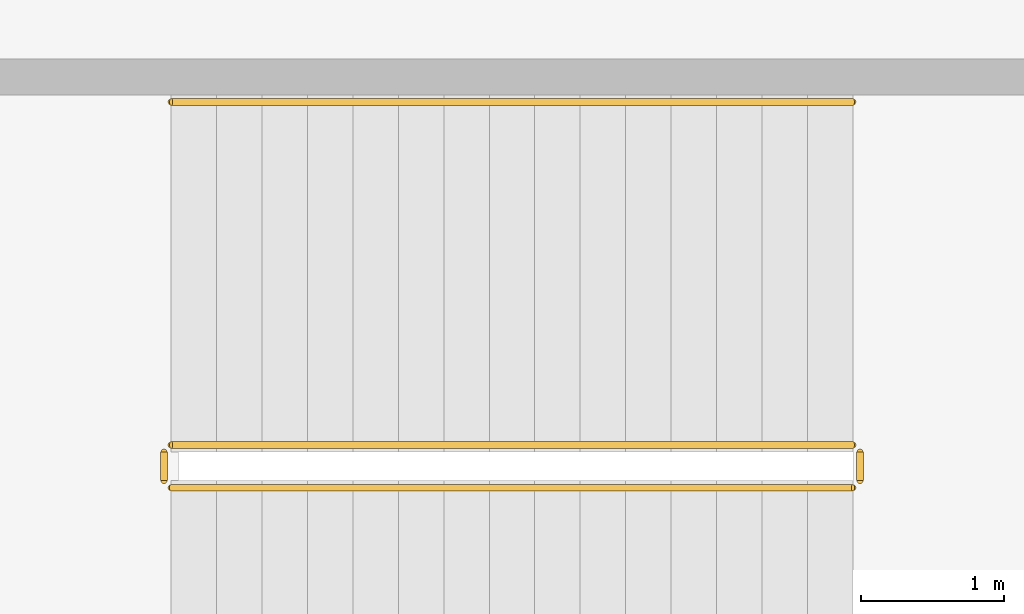
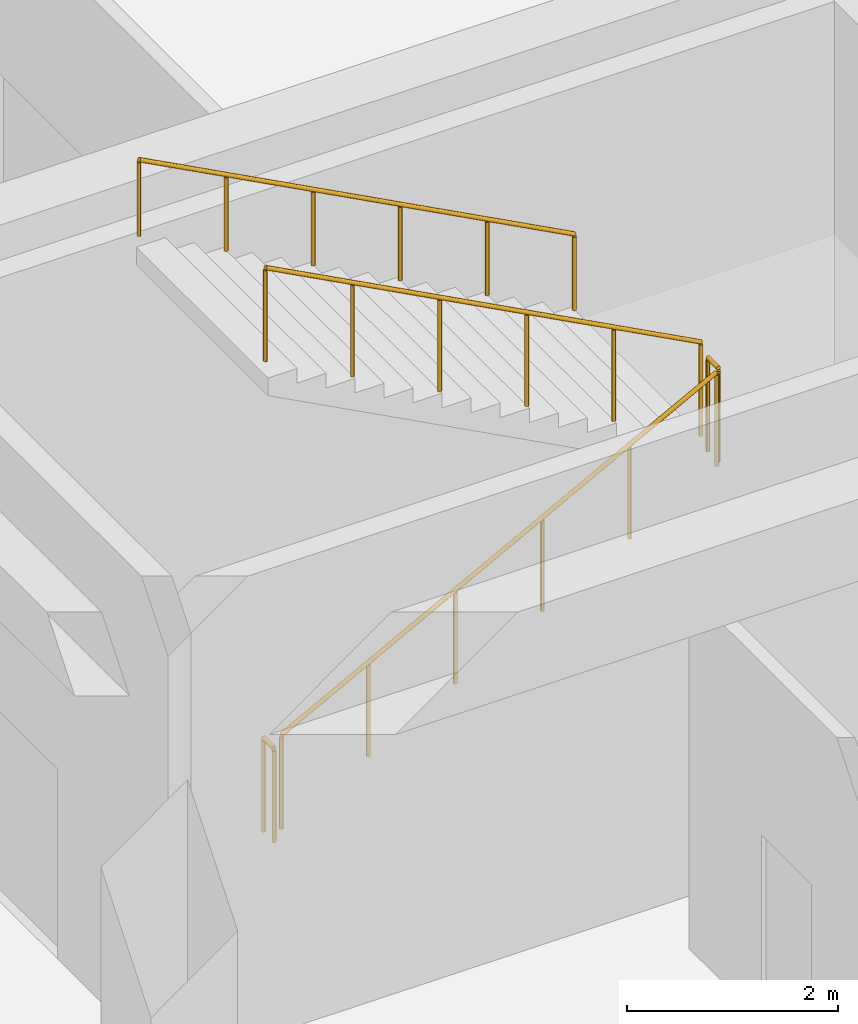
# One storey, part 116 of 120: 5 railings.
"""IFC4 building model written with IfcOpenShell, lengths in metres."""

from ifc_helpers import new_model, si_unit, direction, frame, origin, origin_2d, place, context, subcontext, project, spatial, circle, extrude, material, type_object, element, save


model = new_model("IFC4")

# Units and contexts
model_context = context("Model", 3, precision=1e-05, world=origin(), true_north=direction((0.0, 1.0)))
body_context = subcontext(model_context, "Body", "Model", "MODEL_VIEW")
ifc_project = project(units=[si_unit("LENGTHUNIT", "METRE"), si_unit("AREAUNIT", "SQUARE_METRE"), si_unit("VOLUMEUNIT", "CUBIC_METRE"), si_unit("PLANEANGLEUNIT", "RADIAN"), si_unit("MASSUNIT", "GRAM", prefix="KILO")], contexts=[model_context])

# Site, building, storey
site_placement = place(None, origin())
site = spatial("IfcSite", under=ifc_project, at=site_placement, CompositionType="ELEMENT")
building_placement = place(site_placement, origin())
building = spatial("IfcBuilding", under=site, at=building_placement, Name="Cuetzalor Civic Arena", CompositionType="ELEMENT")
storey_placement = place(building_placement, frame((0.0, 0.0, 6.0)))
storey = spatial("IfcBuildingStorey", under=building, at=storey_placement, Name="L01", CompositionType="ELEMENT", Elevation=6.0)

# Railings
ifc_material_1 = material(Name="Reseda-green architectural Steel S355 balustrade", Category="steel")
railing_type_1 = type_object("IfcRailingType", Name="InteriorVoidBalustrade_1100", PredefinedType="BALUSTRADE", material=ifc_material_1)
railing_1_placement = place(storey_placement, frame((67.449951171875, 20.85009765625, 0.168701171875)))
element("IfcRailing", 1, at=railing_1_placement, inside=storey, type_object=railing_type_1, Name="L01 ST-22 stair guard 1", PredefinedType="BALUSTRADE", context=body_context, shape_type="SweptSolid", body=[
    extrude(circle(Radius=0.02392578125, at=origin_2d()), frame((0.0, 0.0, 1.0810546875), z_axis=(0.883332211103, 0.0, 0.468747485143), x_axis=(0.0, 1.0, 0.0)), (0.0, 0.0, 1.0), 5.400146484375),
    extrude(circle(Radius=0.02099609375, at=origin_2d()), origin(), (0.0, 0.0, 1.0), 1.056884765625),
    extrude(circle(Radius=0.02099609375, at=origin_2d()), frame((0.9541015625, 0.0, 0.50634765625)), (0.0, 0.0, 1.0), 1.056884765625),
    extrude(circle(Radius=0.02099609375, at=origin_2d()), frame((1.907958984375, 0.0, 1.012451171875)), (0.0, 0.0, 1.0), 1.056884765625),
    extrude(circle(Radius=0.02099609375, at=origin_2d()), frame((2.862060546875, 0.0, 1.518798828125)), (0.0, 0.0, 1.0), 1.056884765625),
    extrude(circle(Radius=0.02099609375, at=origin_2d()), frame((3.81591796875, 0.0, 2.02490234375)), (0.0, 0.0, 1.0), 1.056884765625),
    extrude(circle(Radius=0.02099609375, at=origin_2d()), frame((4.77001953125, 0.0, 2.53125)), (0.0, 0.0, 1.0), 1.056884765625),
])
railing_2_placement = place(storey_placement, frame((72.27001953125, 20.89990234375, 2.699951171875)))
element("IfcRailing", 2, at=railing_2_placement, inside=storey, type_object=railing_type_1, Name="L01 ST-22 stair guard 2", PredefinedType="BALUSTRADE", context=body_context, shape_type="SweptSolid", body=[
    extrude(circle(Radius=0.02392578125, at=origin_2d()), frame((0.0, 0.0, 1.0810546875), z_axis=(0.0, 1.0, 0.0), x_axis=(-1.0, 0.0, 0.0)), (0.0, 0.0, 1.0), 0.2001953125),
    extrude(circle(Radius=0.02099609375, at=origin_2d()), origin(), (0.0, 0.0, 1.0), 1.056884765625),
    extrude(circle(Radius=0.02099609375, at=origin_2d()), frame((0.0, 0.2001953125, 0.0)), (0.0, 0.0, 1.0), 1.056884765625),
])
railing_3_placement = place(storey_placement, frame((72.219970703125, 21.14990234375, 2.86865234375)))
element("IfcRailing", 3, at=railing_3_placement, inside=storey, type_object=railing_type_1, Name="L01 ST-22 stair guard 3", PredefinedType="BALUSTRADE", context=body_context, shape_type="SweptSolid", body=[
    extrude(circle(Radius=0.02392578125, at=origin_2d()), frame((0.0, 0.0, 1.0810546875), z_axis=(-0.883332211103, 0.0, 0.468747485143), x_axis=(0.0, -1.0, 0.0)), (0.0, 0.0, 1.0), 5.400146484375),
    extrude(circle(Radius=0.02099609375, at=origin_2d()), origin(), (0.0, 0.0, 1.0), 1.056884765625),
    extrude(circle(Radius=0.02099609375, at=origin_2d()), frame((-0.9541015625, 0.0, 0.50634765625)), (0.0, 0.0, 1.0), 1.056884765625),
    extrude(circle(Radius=0.02099609375, at=origin_2d()), frame((-1.907958984375, 0.0, 1.012451171875)), (0.0, 0.0, 1.0), 1.056884765625),
    extrude(circle(Radius=0.02099609375, at=origin_2d()), frame((-2.862060546875, 0.0, 1.518798828125)), (0.0, 0.0, 1.0), 1.056884765625),
    extrude(circle(Radius=0.02099609375, at=origin_2d()), frame((-3.81591796875, 0.0, 2.02490234375)), (0.0, 0.0, 1.0), 1.056884765625),
    extrude(circle(Radius=0.02099609375, at=origin_2d()), frame((-4.77001953125, 0.0, 2.53125)), (0.0, 0.0, 1.0), 1.056884765625),
])
railing_4_placement = place(storey_placement, frame((67.39990234375, 20.89990234375, 0.0)))
element("IfcRailing", 4, at=railing_4_placement, inside=storey, type_object=railing_type_1, Name="L01 ST-22 stair guard 4", PredefinedType="BALUSTRADE", context=body_context, shape_type="SweptSolid", body=[
    extrude(circle(Radius=0.02392578125, at=origin_2d()), frame((0.0, 0.0, 1.0810546875), z_axis=(0.0, 1.0, 0.0), x_axis=(-1.0, 0.0, 0.0)), (0.0, 0.0, 1.0), 0.2001953125),
    extrude(circle(Radius=0.02099609375, at=origin_2d()), origin(), (0.0, 0.0, 1.0), 1.056884765625),
    extrude(circle(Radius=0.02099609375, at=origin_2d()), frame((0.0, 0.2001953125, 0.0)), (0.0, 0.0, 1.0), 1.056884765625),
])
ifc_material_2 = material(Name="Galvanised steel S355", Category="steel")
railing_type_2 = type_object("IfcRailingType", Name="StairPitchHandrail_900", PredefinedType="HANDRAIL", material=ifc_material_2)
railing_5_placement = place(storey_placement, frame((72.219970703125, 23.550048828125, 2.86865234375)))
element("IfcRailing", 5, at=railing_5_placement, inside=storey, type_object=railing_type_2, Name="L01 ST-22 stair handrail 2", PredefinedType="HANDRAIL", context=body_context, shape_type="SweptSolid", body=[
    extrude(circle(Radius=0.02392578125, at=origin_2d()), frame((0.0, 0.0, 0.8759765625), z_axis=(-0.883332211103, 0.0, 0.468747485143), x_axis=(0.0, -1.0, 0.0)), (0.0, 0.0, 1.0), 5.400146484375),
    extrude(circle(Radius=0.02099609375, at=origin_2d()), origin(), (0.0, 0.0, 1.0), 0.851806640625),
    extrude(circle(Radius=0.02099609375, at=origin_2d()), frame((-0.9541015625, 0.0, 0.50634765625)), (0.0, 0.0, 1.0), 0.851806640625),
    extrude(circle(Radius=0.02099609375, at=origin_2d()), frame((-1.907958984375, 0.0, 1.012451171875)), (0.0, 0.0, 1.0), 0.851806640625),
    extrude(circle(Radius=0.02099609375, at=origin_2d()), frame((-2.862060546875, 0.0, 1.518798828125)), (0.0, 0.0, 1.0), 0.851806640625),
    extrude(circle(Radius=0.02099609375, at=origin_2d()), frame((-3.81591796875, 0.0, 2.02490234375)), (0.0, 0.0, 1.0), 0.851806640625),
    extrude(circle(Radius=0.02099609375, at=origin_2d()), frame((-4.77001953125, 0.0, 2.53125)), (0.0, 0.0, 1.0), 0.851806640625),
])

save(model, "model.ifc")
